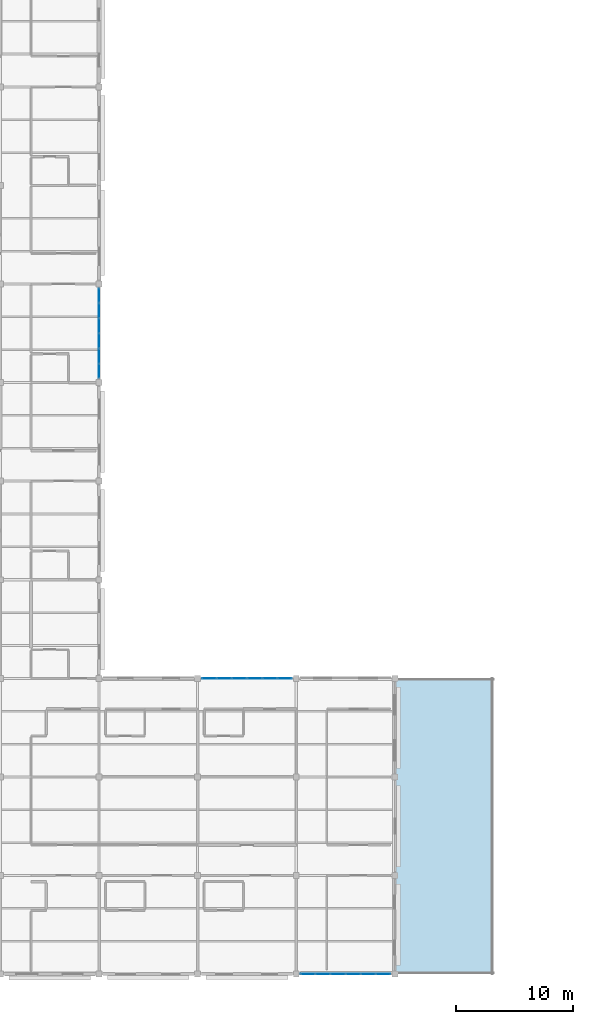
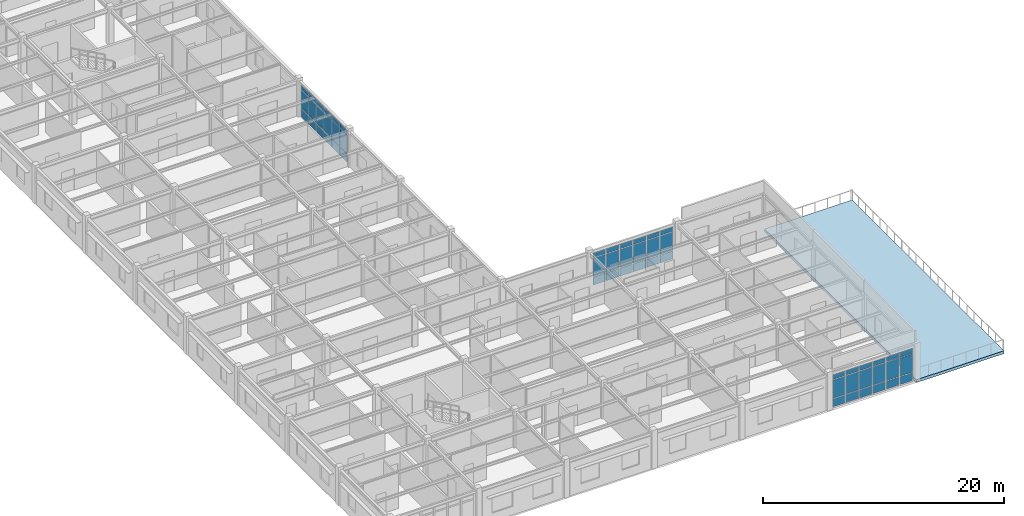
# One storey, part 29 of 53: 54 plates, 1 slab, 3 elements without a shape of their own.
"""IFC4 building model written with IfcOpenShell, lengths in metres."""

from ifc_helpers import new_model, si_unit, direction, frame, origin, origin_2d, place, context, subcontext, project, spatial, polyline, rectangle, outline, extrude, material, layer, layer_set, type_object, element, aggregate, save


model = new_model("IFC4")

# Units and contexts
model_context = context("Model", 3, precision=1e-05, world=origin(), true_north=direction((0.0, 1.0)))
body_context = subcontext(model_context, "Body", "Model", "MODEL_VIEW")
ifc_project = project(units=[si_unit("LENGTHUNIT", "METRE"), si_unit("AREAUNIT", "SQUARE_METRE"), si_unit("VOLUMEUNIT", "CUBIC_METRE"), si_unit("PLANEANGLEUNIT", "RADIAN"), si_unit("MASSUNIT", "GRAM", prefix="KILO")], contexts=[model_context])

# Site, building, storey
site_placement = place(None, origin())
site = spatial("IfcSite", under=ifc_project, at=site_placement, CompositionType="ELEMENT")
building_placement = place(site_placement, origin())
building = spatial("IfcBuilding", under=site, at=building_placement, Name="Bramfleet General Hospital", CompositionType="ELEMENT")
storey_placement = place(building_placement, frame((0.0, 0.0, 26.39990234375)))
storey = spatial("IfcBuildingStorey", under=building, at=storey_placement, Name="L06", CompositionType="ELEMENT", Elevation=26.39990234375)

# Curtain wall, plates
ifc_material_1 = material(Name="Anodised aluminium and low-E triple glazing", Category="aluminium")
ifc_layer_1 = layer(ifc_material_1, 0.179931640625, Name="CWT-CW-02")
ifc_layer_set_1 = layer_set([ifc_layer_1], Name="Anodised aluminium and low-E triple glazing")
curtain_wall_type_1 = type_object("IfcCurtainWallType", Name="CWT-CW-02", PredefinedType="USERDEFINED", material=ifc_layer_set_1)
curtain_wall_1_placement = place(storey_placement, origin())
curtain_wall_1 = element("IfcCurtainWall", 1, at=curtain_wall_1_placement, inside=storey, type_object=curtain_wall_type_1, Name="L06 Curtain Wall 218", ObjectType="Unitised curtain wall", PredefinedType="USERDEFINED")
ifc_material_2 = material(Name="Low-E laminated safety glass", Category="glass")
ifc_layer_2 = layer(ifc_material_2, 0.031982421875, Name="CWP-GLZ-2")
ifc_layer_set_2 = layer_set([ifc_layer_2], Name="Low-E laminated safety glass")
plate_type_1 = type_object("IfcPlateType", Name="CWP-GLZ-2", PredefinedType="CURTAIN_PANEL", material=ifc_layer_set_2)
plate_1_placement = place(storey_placement, frame((117.60009765625, 57.811767578125, 0.06494140625), z_axis=(0.0, 0.0, 1.0), x_axis=(0.0, -1.0, 0.0)))
plate_1 = element("IfcPlate", 2, at=plate_1_placement, type_object=plate_type_1, Name="CW-02 panel 1.1", PredefinedType="CURTAIN_PANEL", context=body_context, shape_type="SweptSolid", body=[
    extrude(rectangle(XDim=1.186767578125, YDim=0.031982421875, at=origin_2d()), origin(), (0.0, 0.0, 1.0), 0.802490234375),
])
plate_2_placement = place(storey_placement, frame((117.60009765625, 57.811767578125, 0.9326171875), z_axis=(0.0, 0.0, 1.0), x_axis=(0.0, -1.0, 0.0)))
plate_2 = element("IfcPlate", 3, at=plate_2_placement, type_object=plate_type_1, Name="CW-02 panel 1.2", PredefinedType="CURTAIN_PANEL", context=body_context, shape_type="SweptSolid", body=[
    extrude(rectangle(XDim=1.186767578125, YDim=0.031982421875, at=origin_2d()), origin(), (0.0, 0.0, 1.0), 1.864990234375),
])
plate_3_placement = place(storey_placement, frame((117.60009765625, 57.811767578125, 2.86279296875), z_axis=(0.0, 0.0, 1.0), x_axis=(0.0, -1.0, 0.0)))
plate_3 = element("IfcPlate", 4, at=plate_3_placement, type_object=plate_type_1, Name="CW-02 panel 1.3", PredefinedType="CURTAIN_PANEL", context=body_context, shape_type="SweptSolid", body=[
    extrude(rectangle(XDim=1.186767578125, YDim=0.031982421875, at=origin_2d()), origin(), (0.0, 0.0, 1.0), 0.452392578125),
])
plate_4_placement = place(storey_placement, frame((117.60009765625, 56.53759765625, 0.06494140625), z_axis=(0.0, 0.0, 1.0), x_axis=(0.0, -1.0, 0.0)))
plate_4 = element("IfcPlate", 5, at=plate_4_placement, type_object=plate_type_1, Name="CW-02 panel 2.1", PredefinedType="CURTAIN_PANEL", context=body_context, shape_type="SweptSolid", body=[
    extrude(rectangle(XDim=1.2216796875, YDim=0.031982421875, at=origin_2d()), origin(), (0.0, 0.0, 1.0), 0.802490234375),
])
plate_5_placement = place(storey_placement, frame((117.60009765625, 56.53759765625, 0.9326171875), z_axis=(0.0, 0.0, 1.0), x_axis=(0.0, -1.0, 0.0)))
plate_5 = element("IfcPlate", 6, at=plate_5_placement, type_object=plate_type_1, Name="CW-02 panel 2.2", PredefinedType="CURTAIN_PANEL", context=body_context, shape_type="SweptSolid", body=[
    extrude(rectangle(XDim=1.2216796875, YDim=0.031982421875, at=origin_2d()), origin(), (0.0, 0.0, 1.0), 1.864990234375),
])
plate_6_placement = place(storey_placement, frame((117.60009765625, 56.53759765625, 2.86279296875), z_axis=(0.0, 0.0, 1.0), x_axis=(0.0, -1.0, 0.0)))
plate_6 = element("IfcPlate", 7, at=plate_6_placement, type_object=plate_type_1, Name="CW-02 panel 2.3", PredefinedType="CURTAIN_PANEL", context=body_context, shape_type="SweptSolid", body=[
    extrude(rectangle(XDim=1.2216796875, YDim=0.031982421875, at=origin_2d()), origin(), (0.0, 0.0, 1.0), 0.452392578125),
])
plate_7_placement = place(storey_placement, frame((117.60009765625, 55.245849609375, 0.06494140625), z_axis=(0.0, 0.0, 1.0), x_axis=(0.0, -1.0, 0.0)))
plate_7 = element("IfcPlate", 8, at=plate_7_placement, type_object=plate_type_1, Name="CW-02 panel 3.1", PredefinedType="CURTAIN_PANEL", context=body_context, shape_type="SweptSolid", body=[
    extrude(rectangle(XDim=1.2216796875, YDim=0.031982421875, at=origin_2d()), origin(), (0.0, 0.0, 1.0), 0.802490234375),
])
plate_8_placement = place(storey_placement, frame((117.60009765625, 55.245849609375, 0.9326171875), z_axis=(0.0, 0.0, 1.0), x_axis=(0.0, -1.0, 0.0)))
plate_8 = element("IfcPlate", 9, at=plate_8_placement, type_object=plate_type_1, Name="CW-02 panel 3.2", PredefinedType="CURTAIN_PANEL", context=body_context, shape_type="SweptSolid", body=[
    extrude(rectangle(XDim=1.2216796875, YDim=0.031982421875, at=origin_2d()), origin(), (0.0, 0.0, 1.0), 1.864990234375),
])
plate_9_placement = place(storey_placement, frame((117.60009765625, 55.245849609375, 2.86279296875), z_axis=(0.0, 0.0, 1.0), x_axis=(0.0, -1.0, 0.0)))
plate_9 = element("IfcPlate", 10, at=plate_9_placement, type_object=plate_type_1, Name="CW-02 panel 3.3", PredefinedType="CURTAIN_PANEL", context=body_context, shape_type="SweptSolid", body=[
    extrude(rectangle(XDim=1.2216796875, YDim=0.031982421875, at=origin_2d()), origin(), (0.0, 0.0, 1.0), 0.452392578125),
])
plate_10_placement = place(storey_placement, frame((117.60009765625, 53.9541015625, 0.06494140625), z_axis=(0.0, 0.0, 1.0), x_axis=(0.0, -1.0, 0.0)))
plate_10 = element("IfcPlate", 11, at=plate_10_placement, type_object=plate_type_1, Name="CW-02 panel 4.1", PredefinedType="CURTAIN_PANEL", context=body_context, shape_type="SweptSolid", body=[
    extrude(rectangle(XDim=1.2216796875, YDim=0.031982421875, at=origin_2d()), origin(), (0.0, 0.0, 1.0), 0.802490234375),
])
plate_11_placement = place(storey_placement, frame((117.60009765625, 53.9541015625, 0.9326171875), z_axis=(0.0, 0.0, 1.0), x_axis=(0.0, -1.0, 0.0)))
plate_11 = element("IfcPlate", 12, at=plate_11_placement, type_object=plate_type_1, Name="CW-02 panel 4.2", PredefinedType="CURTAIN_PANEL", context=body_context, shape_type="SweptSolid", body=[
    extrude(rectangle(XDim=1.2216796875, YDim=0.031982421875, at=origin_2d()), origin(), (0.0, 0.0, 1.0), 1.864990234375),
])
plate_12_placement = place(storey_placement, frame((117.60009765625, 53.9541015625, 2.86279296875), z_axis=(0.0, 0.0, 1.0), x_axis=(0.0, -1.0, 0.0)))
plate_12 = element("IfcPlate", 13, at=plate_12_placement, type_object=plate_type_1, Name="CW-02 panel 4.3", PredefinedType="CURTAIN_PANEL", context=body_context, shape_type="SweptSolid", body=[
    extrude(rectangle(XDim=1.2216796875, YDim=0.031982421875, at=origin_2d()), origin(), (0.0, 0.0, 1.0), 0.452392578125),
])
plate_13_placement = place(storey_placement, frame((117.60009765625, 52.66259765625, 0.06494140625), z_axis=(0.0, 0.0, 1.0), x_axis=(0.0, -1.0, 0.0)))
plate_13 = element("IfcPlate", 14, at=plate_13_placement, type_object=plate_type_1, Name="CW-02 panel 5.1", PredefinedType="CURTAIN_PANEL", context=body_context, shape_type="SweptSolid", body=[
    extrude(rectangle(XDim=1.2216796875, YDim=0.031982421875, at=origin_2d()), origin(), (0.0, 0.0, 1.0), 0.802490234375),
])
plate_14_placement = place(storey_placement, frame((117.60009765625, 52.66259765625, 0.9326171875), z_axis=(0.0, 0.0, 1.0), x_axis=(0.0, -1.0, 0.0)))
plate_14 = element("IfcPlate", 15, at=plate_14_placement, type_object=plate_type_1, Name="CW-02 panel 5.2", PredefinedType="CURTAIN_PANEL", context=body_context, shape_type="SweptSolid", body=[
    extrude(rectangle(XDim=1.2216796875, YDim=0.031982421875, at=origin_2d()), origin(), (0.0, 0.0, 1.0), 1.864990234375),
])
plate_15_placement = place(storey_placement, frame((117.60009765625, 52.66259765625, 2.86279296875), z_axis=(0.0, 0.0, 1.0), x_axis=(0.0, -1.0, 0.0)))
plate_15 = element("IfcPlate", 16, at=plate_15_placement, type_object=plate_type_1, Name="CW-02 panel 5.3", PredefinedType="CURTAIN_PANEL", context=body_context, shape_type="SweptSolid", body=[
    extrude(rectangle(XDim=1.2216796875, YDim=0.031982421875, at=origin_2d()), origin(), (0.0, 0.0, 1.0), 0.452392578125),
])
plate_16_placement = place(storey_placement, frame((117.60009765625, 51.388427734375, 0.06494140625), z_axis=(0.0, 0.0, 1.0), x_axis=(0.0, -1.0, 0.0)))
plate_16 = element("IfcPlate", 17, at=plate_16_placement, type_object=plate_type_1, Name="CW-02 panel 6.1", PredefinedType="CURTAIN_PANEL", context=body_context, shape_type="SweptSolid", body=[
    extrude(rectangle(XDim=1.186767578125, YDim=0.031982421875, at=origin_2d()), origin(), (0.0, 0.0, 1.0), 0.802490234375),
])
plate_17_placement = place(storey_placement, frame((117.60009765625, 51.388427734375, 0.9326171875), z_axis=(0.0, 0.0, 1.0), x_axis=(0.0, -1.0, 0.0)))
plate_17 = element("IfcPlate", 18, at=plate_17_placement, type_object=plate_type_1, Name="CW-02 panel 6.2", PredefinedType="CURTAIN_PANEL", context=body_context, shape_type="SweptSolid", body=[
    extrude(rectangle(XDim=1.186767578125, YDim=0.031982421875, at=origin_2d()), origin(), (0.0, 0.0, 1.0), 1.864990234375),
])
plate_18_placement = place(storey_placement, frame((117.60009765625, 51.388427734375, 2.86279296875), z_axis=(0.0, 0.0, 1.0), x_axis=(0.0, -1.0, 0.0)))
plate_18 = element("IfcPlate", 19, at=plate_18_placement, type_object=plate_type_1, Name="CW-02 panel 6.3", PredefinedType="CURTAIN_PANEL", context=body_context, shape_type="SweptSolid", body=[
    extrude(rectangle(XDim=1.186767578125, YDim=0.031982421875, at=origin_2d()), origin(), (0.0, 0.0, 1.0), 0.452392578125),
])
aggregate(curtain_wall_1, [plate_1, plate_2, plate_3, plate_4, plate_5, plate_6, plate_7, plate_8, plate_9, plate_10, plate_11, plate_12, plate_13, plate_14, plate_15, plate_16, plate_17, plate_18])

ifc_layer_3 = layer(ifc_material_1, 0.179931640625, Name="CWT-CW-03")
ifc_layer_set_3 = layer_set([ifc_layer_3], Name="Anodised aluminium and low-E triple glazing")
curtain_wall_type_2 = type_object("IfcCurtainWallType", Name="CWT-CW-03", PredefinedType="USERDEFINED", material=ifc_layer_set_3)
curtain_wall_2_placement = place(storey_placement, origin())
curtain_wall_2 = element("IfcCurtainWall", 20, at=curtain_wall_2_placement, inside=storey, type_object=curtain_wall_type_2, Name="L06 Curtain Wall 219", ObjectType="Unitised curtain wall", PredefinedType="USERDEFINED")
ifc_layer_4 = layer(ifc_material_2, 0.035888671875, Name="CWP-GLZ-3")
ifc_layer_set_4 = layer_set([ifc_layer_4], Name="Low-E laminated safety glass")
plate_type_2 = type_object("IfcPlateType", Name="CWP-GLZ-3", PredefinedType="CURTAIN_PANEL", material=ifc_layer_set_4)
plate_19_placement = place(storey_placement, frame((126.98828125, 25.199951171875, 0.06494140625), z_axis=(0.0, 0.0, 1.0), x_axis=(1.0, 0.0, 0.0)))
plate_19 = element("IfcPlate", 21, at=plate_19_placement, type_object=plate_type_2, Name="CW-03 panel 1.1", PredefinedType="CURTAIN_PANEL", context=body_context, shape_type="SweptSolid", body=[
    extrude(rectangle(XDim=1.186767578125, YDim=0.035888671875, at=origin_2d()), origin(), (0.0, 0.0, 1.0), 0.802490234375),
])
plate_20_placement = place(storey_placement, frame((126.98828125, 25.199951171875, 0.9326171875), z_axis=(0.0, 0.0, 1.0), x_axis=(1.0, 0.0, 0.0)))
plate_20 = element("IfcPlate", 22, at=plate_20_placement, type_object=plate_type_2, Name="CW-03 panel 1.2", PredefinedType="CURTAIN_PANEL", context=body_context, shape_type="SweptSolid", body=[
    extrude(rectangle(XDim=1.186767578125, YDim=0.035888671875, at=origin_2d()), origin(), (0.0, 0.0, 1.0), 1.844970703125),
])
plate_21_placement = place(storey_placement, frame((126.98828125, 25.199951171875, 2.8427734375), z_axis=(0.0, 0.0, 1.0), x_axis=(1.0, 0.0, 0.0)))
plate_21 = element("IfcPlate", 23, at=plate_21_placement, type_object=plate_type_2, Name="CW-03 panel 1.3", PredefinedType="CURTAIN_PANEL", context=body_context, shape_type="SweptSolid", body=[
    extrude(rectangle(XDim=1.186767578125, YDim=0.035888671875, at=origin_2d()), origin(), (0.0, 0.0, 1.0), 0.452392578125),
])
plate_22_placement = place(storey_placement, frame((128.262451171875, 25.199951171875, 0.06494140625), z_axis=(0.0, 0.0, 1.0), x_axis=(1.0, 0.0, 0.0)))
plate_22 = element("IfcPlate", 24, at=plate_22_placement, type_object=plate_type_2, Name="CW-03 panel 2.1", PredefinedType="CURTAIN_PANEL", context=body_context, shape_type="SweptSolid", body=[
    extrude(rectangle(XDim=1.2216796875, YDim=0.035888671875, at=origin_2d()), origin(), (0.0, 0.0, 1.0), 0.802490234375),
])
plate_23_placement = place(storey_placement, frame((128.262451171875, 25.199951171875, 0.9326171875), z_axis=(0.0, 0.0, 1.0), x_axis=(1.0, 0.0, 0.0)))
plate_23 = element("IfcPlate", 25, at=plate_23_placement, type_object=plate_type_2, Name="CW-03 panel 2.2", PredefinedType="CURTAIN_PANEL", context=body_context, shape_type="SweptSolid", body=[
    extrude(rectangle(XDim=1.2216796875, YDim=0.035888671875, at=origin_2d()), origin(), (0.0, 0.0, 1.0), 1.844970703125),
])
plate_24_placement = place(storey_placement, frame((128.262451171875, 25.199951171875, 2.8427734375), z_axis=(0.0, 0.0, 1.0), x_axis=(1.0, 0.0, 0.0)))
plate_24 = element("IfcPlate", 26, at=plate_24_placement, type_object=plate_type_2, Name="CW-03 panel 2.3", PredefinedType="CURTAIN_PANEL", context=body_context, shape_type="SweptSolid", body=[
    extrude(rectangle(XDim=1.2216796875, YDim=0.035888671875, at=origin_2d()), origin(), (0.0, 0.0, 1.0), 0.452392578125),
])
plate_25_placement = place(storey_placement, frame((129.55419921875, 25.199951171875, 0.06494140625), z_axis=(0.0, 0.0, 1.0), x_axis=(1.0, 0.0, 0.0)))
plate_25 = element("IfcPlate", 27, at=plate_25_placement, type_object=plate_type_2, Name="CW-03 panel 3.1", PredefinedType="CURTAIN_PANEL", context=body_context, shape_type="SweptSolid", body=[
    extrude(rectangle(XDim=1.2216796875, YDim=0.035888671875, at=origin_2d()), origin(), (0.0, 0.0, 1.0), 0.802490234375),
])
plate_26_placement = place(storey_placement, frame((129.55419921875, 25.199951171875, 0.9326171875), z_axis=(0.0, 0.0, 1.0), x_axis=(1.0, 0.0, 0.0)))
plate_26 = element("IfcPlate", 28, at=plate_26_placement, type_object=plate_type_2, Name="CW-03 panel 3.2", PredefinedType="CURTAIN_PANEL", context=body_context, shape_type="SweptSolid", body=[
    extrude(rectangle(XDim=1.2216796875, YDim=0.035888671875, at=origin_2d()), origin(), (0.0, 0.0, 1.0), 1.844970703125),
])
plate_27_placement = place(storey_placement, frame((129.55419921875, 25.199951171875, 2.8427734375), z_axis=(0.0, 0.0, 1.0), x_axis=(1.0, 0.0, 0.0)))
plate_27 = element("IfcPlate", 29, at=plate_27_placement, type_object=plate_type_2, Name="CW-03 panel 3.3", PredefinedType="CURTAIN_PANEL", context=body_context, shape_type="SweptSolid", body=[
    extrude(rectangle(XDim=1.2216796875, YDim=0.035888671875, at=origin_2d()), origin(), (0.0, 0.0, 1.0), 0.452392578125),
])
plate_28_placement = place(storey_placement, frame((130.845947265625, 25.199951171875, 0.06494140625), z_axis=(0.0, 0.0, 1.0), x_axis=(1.0, 0.0, 0.0)))
plate_28 = element("IfcPlate", 30, at=plate_28_placement, type_object=plate_type_2, Name="CW-03 panel 4.1", PredefinedType="CURTAIN_PANEL", context=body_context, shape_type="SweptSolid", body=[
    extrude(rectangle(XDim=1.2216796875, YDim=0.035888671875, at=origin_2d()), origin(), (0.0, 0.0, 1.0), 0.802490234375),
])
plate_29_placement = place(storey_placement, frame((130.845947265625, 25.199951171875, 0.9326171875), z_axis=(0.0, 0.0, 1.0), x_axis=(1.0, 0.0, 0.0)))
plate_29 = element("IfcPlate", 31, at=plate_29_placement, type_object=plate_type_2, Name="CW-03 panel 4.2", PredefinedType="CURTAIN_PANEL", context=body_context, shape_type="SweptSolid", body=[
    extrude(rectangle(XDim=1.2216796875, YDim=0.035888671875, at=origin_2d()), origin(), (0.0, 0.0, 1.0), 1.844970703125),
])
plate_30_placement = place(storey_placement, frame((130.845947265625, 25.199951171875, 2.8427734375), z_axis=(0.0, 0.0, 1.0), x_axis=(1.0, 0.0, 0.0)))
plate_30 = element("IfcPlate", 32, at=plate_30_placement, type_object=plate_type_2, Name="CW-03 panel 4.3", PredefinedType="CURTAIN_PANEL", context=body_context, shape_type="SweptSolid", body=[
    extrude(rectangle(XDim=1.2216796875, YDim=0.035888671875, at=origin_2d()), origin(), (0.0, 0.0, 1.0), 0.452392578125),
])
plate_31_placement = place(storey_placement, frame((132.137451171875, 25.199951171875, 0.06494140625), z_axis=(0.0, 0.0, 1.0), x_axis=(1.0, 0.0, 0.0)))
plate_31 = element("IfcPlate", 33, at=plate_31_placement, type_object=plate_type_2, Name="CW-03 panel 5.1", PredefinedType="CURTAIN_PANEL", context=body_context, shape_type="SweptSolid", body=[
    extrude(rectangle(XDim=1.2216796875, YDim=0.035888671875, at=origin_2d()), origin(), (0.0, 0.0, 1.0), 0.802490234375),
])
plate_32_placement = place(storey_placement, frame((132.137451171875, 25.199951171875, 0.9326171875), z_axis=(0.0, 0.0, 1.0), x_axis=(1.0, 0.0, 0.0)))
plate_32 = element("IfcPlate", 34, at=plate_32_placement, type_object=plate_type_2, Name="CW-03 panel 5.2", PredefinedType="CURTAIN_PANEL", context=body_context, shape_type="SweptSolid", body=[
    extrude(rectangle(XDim=1.2216796875, YDim=0.035888671875, at=origin_2d()), origin(), (0.0, 0.0, 1.0), 1.844970703125),
])
plate_33_placement = place(storey_placement, frame((132.137451171875, 25.199951171875, 2.8427734375), z_axis=(0.0, 0.0, 1.0), x_axis=(1.0, 0.0, 0.0)))
plate_33 = element("IfcPlate", 35, at=plate_33_placement, type_object=plate_type_2, Name="CW-03 panel 5.3", PredefinedType="CURTAIN_PANEL", context=body_context, shape_type="SweptSolid", body=[
    extrude(rectangle(XDim=1.2216796875, YDim=0.035888671875, at=origin_2d()), origin(), (0.0, 0.0, 1.0), 0.452392578125),
])
plate_34_placement = place(storey_placement, frame((133.41162109375, 25.199951171875, 0.06494140625), z_axis=(0.0, 0.0, 1.0), x_axis=(1.0, 0.0, 0.0)))
plate_34 = element("IfcPlate", 36, at=plate_34_placement, type_object=plate_type_2, Name="CW-03 panel 6.1", PredefinedType="CURTAIN_PANEL", context=body_context, shape_type="SweptSolid", body=[
    extrude(rectangle(XDim=1.186767578125, YDim=0.035888671875, at=origin_2d()), origin(), (0.0, 0.0, 1.0), 0.802490234375),
])
plate_35_placement = place(storey_placement, frame((133.41162109375, 25.199951171875, 0.9326171875), z_axis=(0.0, 0.0, 1.0), x_axis=(1.0, 0.0, 0.0)))
plate_35 = element("IfcPlate", 37, at=plate_35_placement, type_object=plate_type_2, Name="CW-03 panel 6.2", PredefinedType="CURTAIN_PANEL", context=body_context, shape_type="SweptSolid", body=[
    extrude(rectangle(XDim=1.186767578125, YDim=0.035888671875, at=origin_2d()), origin(), (0.0, 0.0, 1.0), 1.844970703125),
])
plate_36_placement = place(storey_placement, frame((133.41162109375, 25.199951171875, 2.8427734375), z_axis=(0.0, 0.0, 1.0), x_axis=(1.0, 0.0, 0.0)))
plate_36 = element("IfcPlate", 38, at=plate_36_placement, type_object=plate_type_2, Name="CW-03 panel 6.3", PredefinedType="CURTAIN_PANEL", context=body_context, shape_type="SweptSolid", body=[
    extrude(rectangle(XDim=1.186767578125, YDim=0.035888671875, at=origin_2d()), origin(), (0.0, 0.0, 1.0), 0.452392578125),
])
aggregate(curtain_wall_2, [plate_19, plate_20, plate_21, plate_22, plate_23, plate_24, plate_25, plate_26, plate_27, plate_28, plate_29, plate_30, plate_31, plate_32, plate_33, plate_34, plate_35, plate_36])

ifc_layer_5 = layer(ifc_material_1, 0.179931640625, Name="CWT-CW-04")
ifc_layer_set_5 = layer_set([ifc_layer_5], Name="Anodised aluminium and low-E triple glazing")
curtain_wall_type_3 = type_object("IfcCurtainWallType", Name="CWT-CW-04", PredefinedType="USERDEFINED", material=ifc_layer_set_5)
curtain_wall_3_placement = place(storey_placement, origin())
curtain_wall_3 = element("IfcCurtainWall", 39, at=curtain_wall_3_placement, inside=storey, type_object=curtain_wall_type_3, Name="L06 Curtain Wall 220", ObjectType="Unitised curtain wall", PredefinedType="USERDEFINED")
ifc_layer_6 = layer(ifc_material_2, 0.0419921875, Name="CWP-GLZ-4")
ifc_layer_set_6 = layer_set([ifc_layer_6], Name="Low-E laminated safety glass")
plate_type_3 = type_object("IfcPlateType", Name="CWP-GLZ-4", PredefinedType="CURTAIN_PANEL", material=ifc_layer_set_6)
plate_37_placement = place(storey_placement, frame((141.811767578125, 0.0, 0.06494140625), z_axis=(0.0, 0.0, 1.0), x_axis=(-1.0, 0.0, 0.0)))
plate_37 = element("IfcPlate", 40, at=plate_37_placement, type_object=plate_type_3, Name="CW-04 panel 1.1", PredefinedType="CURTAIN_PANEL", context=body_context, shape_type="SweptSolid", body=[
    extrude(rectangle(XDim=1.186767578125, YDim=0.0419921875, at=origin_2d()), origin(), (0.0, 0.0, 1.0), 0.802490234375),
])
plate_38_placement = place(storey_placement, frame((141.811767578125, 0.0, 0.9326171875), z_axis=(0.0, 0.0, 1.0), x_axis=(-1.0, 0.0, 0.0)))
plate_38 = element("IfcPlate", 41, at=plate_38_placement, type_object=plate_type_3, Name="CW-04 panel 1.2", PredefinedType="CURTAIN_PANEL", context=body_context, shape_type="SweptSolid", body=[
    extrude(rectangle(XDim=1.186767578125, YDim=0.0419921875, at=origin_2d()), origin(), (0.0, 0.0, 1.0), 1.844970703125),
])
plate_39_placement = place(storey_placement, frame((141.811767578125, 0.0, 2.8427734375), z_axis=(0.0, 0.0, 1.0), x_axis=(-1.0, 0.0, 0.0)))
plate_39 = element("IfcPlate", 42, at=plate_39_placement, type_object=plate_type_3, Name="CW-04 panel 1.3", PredefinedType="CURTAIN_PANEL", context=body_context, shape_type="SweptSolid", body=[
    extrude(rectangle(XDim=1.186767578125, YDim=0.0419921875, at=origin_2d()), origin(), (0.0, 0.0, 1.0), 0.452392578125),
])
plate_40_placement = place(storey_placement, frame((140.53759765625, 0.0, 0.06494140625), z_axis=(0.0, 0.0, 1.0), x_axis=(-1.0, 0.0, 0.0)))
plate_40 = element("IfcPlate", 43, at=plate_40_placement, type_object=plate_type_3, Name="CW-04 panel 2.1", PredefinedType="CURTAIN_PANEL", context=body_context, shape_type="SweptSolid", body=[
    extrude(rectangle(XDim=1.2216796875, YDim=0.0419921875, at=origin_2d()), origin(), (0.0, 0.0, 1.0), 0.802490234375),
])
plate_41_placement = place(storey_placement, frame((140.53759765625, 0.0, 0.9326171875), z_axis=(0.0, 0.0, 1.0), x_axis=(-1.0, 0.0, 0.0)))
plate_41 = element("IfcPlate", 44, at=plate_41_placement, type_object=plate_type_3, Name="CW-04 panel 2.2", PredefinedType="CURTAIN_PANEL", context=body_context, shape_type="SweptSolid", body=[
    extrude(rectangle(XDim=1.2216796875, YDim=0.0419921875, at=origin_2d()), origin(), (0.0, 0.0, 1.0), 1.844970703125),
])
plate_42_placement = place(storey_placement, frame((140.53759765625, 0.0, 2.8427734375), z_axis=(0.0, 0.0, 1.0), x_axis=(-1.0, 0.0, 0.0)))
plate_42 = element("IfcPlate", 45, at=plate_42_placement, type_object=plate_type_3, Name="CW-04 panel 2.3", PredefinedType="CURTAIN_PANEL", context=body_context, shape_type="SweptSolid", body=[
    extrude(rectangle(XDim=1.2216796875, YDim=0.0419921875, at=origin_2d()), origin(), (0.0, 0.0, 1.0), 0.452392578125),
])
plate_43_placement = place(storey_placement, frame((139.245849609375, 0.0, 0.06494140625), z_axis=(0.0, 0.0, 1.0), x_axis=(-1.0, 0.0, 0.0)))
plate_43 = element("IfcPlate", 46, at=plate_43_placement, type_object=plate_type_3, Name="CW-04 panel 3.1", PredefinedType="CURTAIN_PANEL", context=body_context, shape_type="SweptSolid", body=[
    extrude(rectangle(XDim=1.2216796875, YDim=0.0419921875, at=origin_2d()), origin(), (0.0, 0.0, 1.0), 0.802490234375),
])
plate_44_placement = place(storey_placement, frame((139.245849609375, 0.0, 0.9326171875), z_axis=(0.0, 0.0, 1.0), x_axis=(-1.0, 0.0, 0.0)))
plate_44 = element("IfcPlate", 47, at=plate_44_placement, type_object=plate_type_3, Name="CW-04 panel 3.2", PredefinedType="CURTAIN_PANEL", context=body_context, shape_type="SweptSolid", body=[
    extrude(rectangle(XDim=1.2216796875, YDim=0.0419921875, at=origin_2d()), origin(), (0.0, 0.0, 1.0), 1.844970703125),
])
plate_45_placement = place(storey_placement, frame((139.245849609375, 0.0, 2.8427734375), z_axis=(0.0, 0.0, 1.0), x_axis=(-1.0, 0.0, 0.0)))
plate_45 = element("IfcPlate", 48, at=plate_45_placement, type_object=plate_type_3, Name="CW-04 panel 3.3", PredefinedType="CURTAIN_PANEL", context=body_context, shape_type="SweptSolid", body=[
    extrude(rectangle(XDim=1.2216796875, YDim=0.0419921875, at=origin_2d()), origin(), (0.0, 0.0, 1.0), 0.452392578125),
])
plate_46_placement = place(storey_placement, frame((137.9541015625, 0.0, 0.06494140625), z_axis=(0.0, 0.0, 1.0), x_axis=(-1.0, 0.0, 0.0)))
plate_46 = element("IfcPlate", 49, at=plate_46_placement, type_object=plate_type_3, Name="CW-04 panel 4.1", PredefinedType="CURTAIN_PANEL", context=body_context, shape_type="SweptSolid", body=[
    extrude(rectangle(XDim=1.2216796875, YDim=0.0419921875, at=origin_2d()), origin(), (0.0, 0.0, 1.0), 0.802490234375),
])
plate_47_placement = place(storey_placement, frame((137.9541015625, 0.0, 0.9326171875), z_axis=(0.0, 0.0, 1.0), x_axis=(-1.0, 0.0, 0.0)))
plate_47 = element("IfcPlate", 50, at=plate_47_placement, type_object=plate_type_3, Name="CW-04 panel 4.2", PredefinedType="CURTAIN_PANEL", context=body_context, shape_type="SweptSolid", body=[
    extrude(rectangle(XDim=1.2216796875, YDim=0.0419921875, at=origin_2d()), origin(), (0.0, 0.0, 1.0), 1.844970703125),
])
plate_48_placement = place(storey_placement, frame((137.9541015625, 0.0, 2.8427734375), z_axis=(0.0, 0.0, 1.0), x_axis=(-1.0, 0.0, 0.0)))
plate_48 = element("IfcPlate", 51, at=plate_48_placement, type_object=plate_type_3, Name="CW-04 panel 4.3", PredefinedType="CURTAIN_PANEL", context=body_context, shape_type="SweptSolid", body=[
    extrude(rectangle(XDim=1.2216796875, YDim=0.0419921875, at=origin_2d()), origin(), (0.0, 0.0, 1.0), 0.452392578125),
])
plate_49_placement = place(storey_placement, frame((136.66259765625, 0.0, 0.06494140625), z_axis=(0.0, 0.0, 1.0), x_axis=(-1.0, 0.0, 0.0)))
plate_49 = element("IfcPlate", 52, at=plate_49_placement, type_object=plate_type_3, Name="CW-04 panel 5.1", PredefinedType="CURTAIN_PANEL", context=body_context, shape_type="SweptSolid", body=[
    extrude(rectangle(XDim=1.2216796875, YDim=0.0419921875, at=origin_2d()), origin(), (0.0, 0.0, 1.0), 0.802490234375),
])
plate_50_placement = place(storey_placement, frame((136.66259765625, 0.0, 0.9326171875), z_axis=(0.0, 0.0, 1.0), x_axis=(-1.0, 0.0, 0.0)))
plate_50 = element("IfcPlate", 53, at=plate_50_placement, type_object=plate_type_3, Name="CW-04 panel 5.2", PredefinedType="CURTAIN_PANEL", context=body_context, shape_type="SweptSolid", body=[
    extrude(rectangle(XDim=1.2216796875, YDim=0.0419921875, at=origin_2d()), origin(), (0.0, 0.0, 1.0), 1.844970703125),
])
plate_51_placement = place(storey_placement, frame((136.66259765625, 0.0, 2.8427734375), z_axis=(0.0, 0.0, 1.0), x_axis=(-1.0, 0.0, 0.0)))
plate_51 = element("IfcPlate", 54, at=plate_51_placement, type_object=plate_type_3, Name="CW-04 panel 5.3", PredefinedType="CURTAIN_PANEL", context=body_context, shape_type="SweptSolid", body=[
    extrude(rectangle(XDim=1.2216796875, YDim=0.0419921875, at=origin_2d()), origin(), (0.0, 0.0, 1.0), 0.452392578125),
])
plate_52_placement = place(storey_placement, frame((135.388427734375, 0.0, 0.06494140625), z_axis=(0.0, 0.0, 1.0), x_axis=(-1.0, 0.0, 0.0)))
plate_52 = element("IfcPlate", 55, at=plate_52_placement, type_object=plate_type_3, Name="CW-04 panel 6.1", PredefinedType="CURTAIN_PANEL", context=body_context, shape_type="SweptSolid", body=[
    extrude(rectangle(XDim=1.186767578125, YDim=0.0419921875, at=origin_2d()), origin(), (0.0, 0.0, 1.0), 0.802490234375),
])
plate_53_placement = place(storey_placement, frame((135.388427734375, 0.0, 0.9326171875), z_axis=(0.0, 0.0, 1.0), x_axis=(-1.0, 0.0, 0.0)))
plate_53 = element("IfcPlate", 56, at=plate_53_placement, type_object=plate_type_3, Name="CW-04 panel 6.2", PredefinedType="CURTAIN_PANEL", context=body_context, shape_type="SweptSolid", body=[
    extrude(rectangle(XDim=1.186767578125, YDim=0.0419921875, at=origin_2d()), origin(), (0.0, 0.0, 1.0), 1.844970703125),
])
plate_54_placement = place(storey_placement, frame((135.388427734375, 0.0, 2.8427734375), z_axis=(0.0, 0.0, 1.0), x_axis=(-1.0, 0.0, 0.0)))
plate_54 = element("IfcPlate", 57, at=plate_54_placement, type_object=plate_type_3, Name="CW-04 panel 6.3", PredefinedType="CURTAIN_PANEL", context=body_context, shape_type="SweptSolid", body=[
    extrude(rectangle(XDim=1.186767578125, YDim=0.0419921875, at=origin_2d()), origin(), (0.0, 0.0, 1.0), 0.452392578125),
])
aggregate(curtain_wall_3, [plate_37, plate_38, plate_39, plate_40, plate_41, plate_42, plate_43, plate_44, plate_45, plate_46, plate_47, plate_48, plate_49, plate_50, plate_51, plate_52, plate_53, plate_54])

# Slab
ifc_material_3 = material(Name="Concrete C35/45", Category="concrete")
ifc_layer_7 = layer(ifc_material_3, 0.2900390625, Name="SL-TER-290")
ifc_layer_set_7 = layer_set([ifc_layer_7], Name="Concrete C35/45")
slab_type = type_object("IfcSlabType", Name="SL-TER-290", PredefinedType="FLOOR", material=ifc_layer_set_7)
slab_placement = place(storey_placement, frame((0.0, 0.0, -0.289794921875)))
element("IfcSlab", 58, at=slab_placement, inside=storey, type_object=slab_type, Name="L06 Setback Ward Terrace 3", PredefinedType="FLOOR", context=body_context, shape_type="SweptSolid", body=[
    extrude(outline(polyline([(151.199951171875, 25.199951171875), (151.199951171875, 16.800048828125), (151.199951171875, 8.39990234375), (151.199951171875, 0.0), (142.800048828125, 0.0), (142.800048828125, 8.39990234375), (142.800048828125, 16.800048828125), (142.800048828125, 25.199951171875), (151.199951171875, 25.199951171875)])), origin(), (0.0, 0.0, 1.0), 0.289794921875),
])

save(model, "model.ifc")
